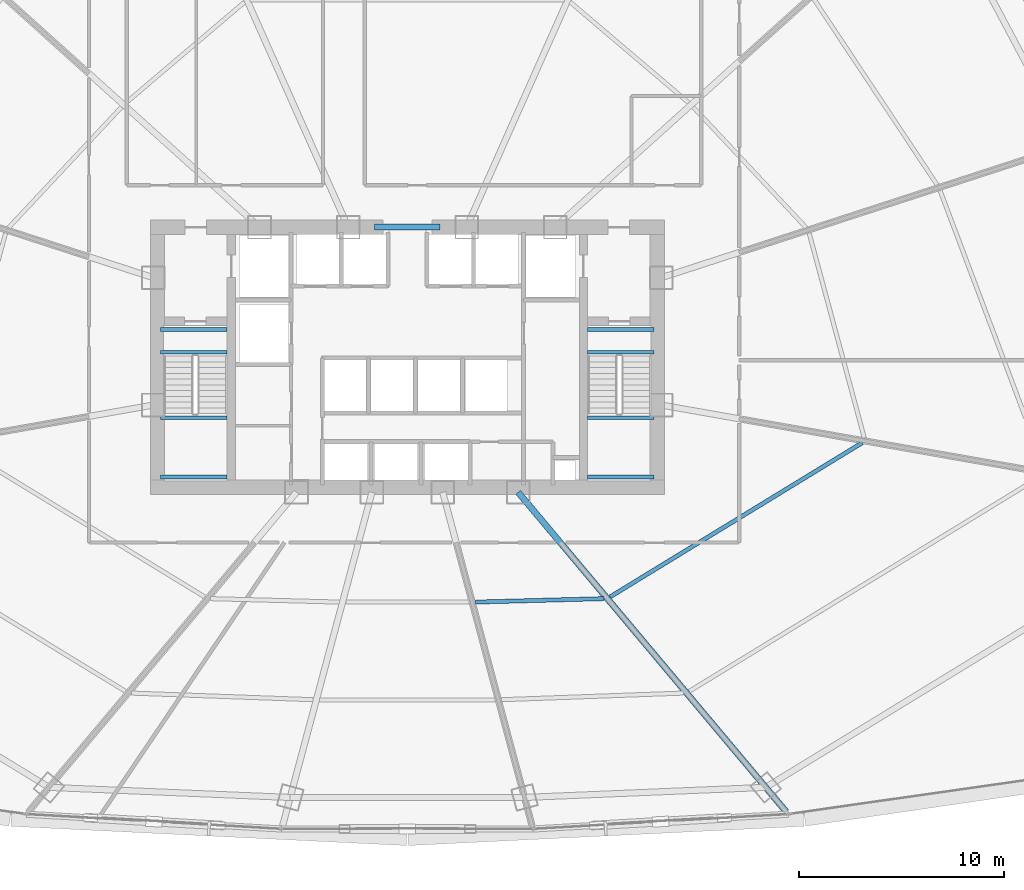
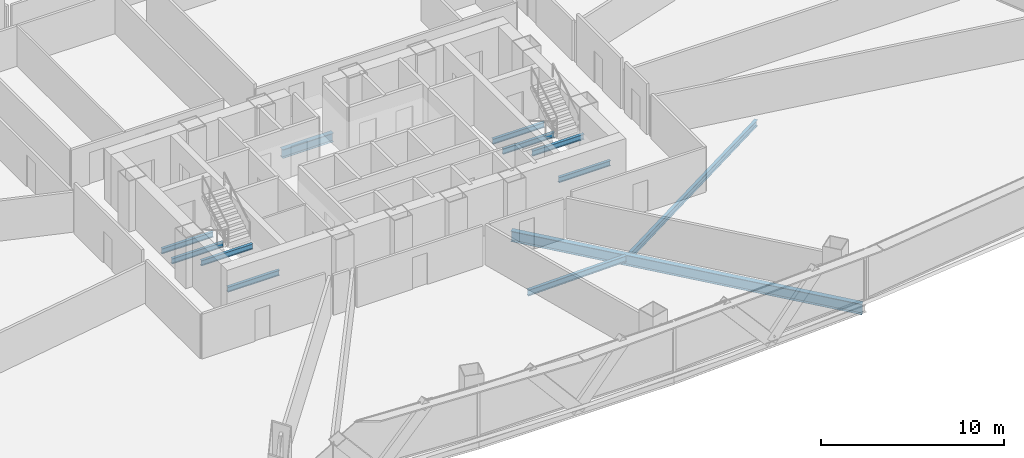
# One storey, part 13 of 42: 12 beams.
"""IFC4 building model written with IfcOpenShell, lengths in metres."""

from ifc_helpers import new_model, si_unit, direction, frame, origin, origin_2d, place, context, subcontext, project, spatial, i_section, extrude, source, transform, mapped, material, material_profile, profile_set, type_object, element, save


model = new_model("IFC4")

# Units and contexts
model_context = context("Model", 3, precision=1e-05, world=origin(), true_north=direction((0.0, 1.0)))
body_context = subcontext(model_context, "Body", "Model", "MODEL_VIEW")
ifc_project = project(units=[si_unit("LENGTHUNIT", "METRE"), si_unit("AREAUNIT", "SQUARE_METRE"), si_unit("VOLUMEUNIT", "CUBIC_METRE"), si_unit("PLANEANGLEUNIT", "RADIAN"), si_unit("MASSUNIT", "GRAM", prefix="KILO"), si_unit("THERMODYNAMICTEMPERATUREUNIT", "KELVIN"), si_unit("POWERUNIT", "WATT")], contexts=[model_context])

# Site, building, storey
site_placement = place(None, origin())
site = spatial("IfcSite", under=ifc_project, at=site_placement, CompositionType="ELEMENT")
building_placement = place(site_placement, origin())
building = spatial("IfcBuilding", under=site, at=building_placement, Name="Yunzhuo Pagoda Commons", CompositionType="ELEMENT")
storey_placement = place(building_placement, frame((0.0, 0.0, 41.2900390625)))
storey = spatial("IfcBuildingStorey", under=building, at=storey_placement, Name="L10", CompositionType="ELEMENT", Elevation=41.2900390625)

# Beams
ifc_material_1 = material(Name="Structural steel Q355B", Category="steel")
ifc_material_profile_1 = material_profile(ifc_material_1, i_section(OverallWidth=0.175048828125, OverallDepth=0.35009765625, WebThickness=0.007080078125, FlangeThickness=0.010986328125, at=origin_2d()), Name="Structural steel Q355B")
ifc_profile_set_1 = profile_set([ifc_material_profile_1], Name="Structural steel Q355B")
beam_type_1 = type_object("IfcBeamType", Name="B-JS2 Joist HN 350x175x7x11", PredefinedType="JOIST", material=ifc_profile_set_1)
shared_shape_1 = source(origin(), body_context, "Body", "SweptSolid", [
    extrude(i_section(OverallWidth=0.175048828125, OverallDepth=0.35009765625, WebThickness=0.007080078125, FlangeThickness=0.010986328125, at=origin_2d()), origin(), (0.0, 0.0, 1.0), 3.25),
])
for number, where, z_axis, x_axis, name in (
    (1, (35.949951171875, 28.0, 1.440185546875), (1.0, 0.0, 0.0), (0.0, 1.0, 0.0), "L10 ST1 landing support beam 14A"),
    (2, (35.949951171875, 30.89990234375, 1.440185546875), (1.0, 0.0, 0.0), (0.0, 1.0, 0.0), "L10 ST1 landing support beam 14B"),
    (3, (35.949951171875, 34.10009765625, -0.375), (1.0, 0.0, 0.0), (0.0, 1.0, 0.0), "L10 ST1 landing support beam 114A"),
    (4, (35.949951171875, 35.199951171875, -0.375), (1.0, 0.0, 0.0), (0.0, 1.0, 0.0), "L10 ST1 landing support beam 114B"),
    (5, (56.800048828125, 28.0, 1.440185546875), (1.0, 0.0, 0.0), (0.0, 1.0, 0.0), "L10 ST2 landing support beam 14A"),
    (6, (56.800048828125, 30.89990234375, 1.440185546875), (1.0, 0.0, 0.0), (0.0, 1.0, 0.0), "L10 ST2 landing support beam 14B"),
    (7, (56.800048828125, 34.10009765625, -0.375), (1.0, 0.0, 0.0), (0.0, 1.0, 0.0), "L10 ST2 landing support beam 114A"),
    (8, (56.800048828125, 35.199951171875, -0.375), (1.0, 0.0, 0.0), (0.0, 1.0, 0.0), "L10 ST2 landing support beam 114B"),
):
    element("IfcBeam", number, at=place(storey_placement, frame(where, z_axis=z_axis, x_axis=x_axis)), inside=storey, type_object=beam_type_1, Name=name, PredefinedType="JOIST", context=body_context, shape_type="MappedRepresentation", body=[
        mapped(shared_shape_1, transform((0.0, 0.0, 0.0), scale=1.0)),
    ])
ifc_material_2 = material(Name="Structural steel Q420B", Category="steel")
ifc_material_profile_2 = material_profile(ifc_material_2, i_section(OverallWidth=0.300048828125, OverallDepth=0.587890625, WebThickness=0.011962890625, FlangeThickness=0.02001953125, at=origin_2d()), Name="Structural steel Q420B")
ifc_profile_set_2 = profile_set([ifc_material_profile_2], Name="Structural steel Q420B")
beam_type_2 = type_object("IfcBeamType", Name="B-CPL Beam HM 588x300x12x20", PredefinedType="BEAM", material=ifc_profile_set_2)
shared_shape_2 = source(origin(), body_context, "Body", "SweptSolid", [
    extrude(i_section(OverallWidth=0.300048828125, OverallDepth=0.587890625, WebThickness=0.011962890625, FlangeThickness=0.02001953125, at=origin_2d()), origin(), (0.0, 0.0, 1.0), 3.2001953125),
])
beam_1_placement = place(storey_placement, frame((46.39990234375, 40.199951171875, -0.553955078125), z_axis=(1.0, 0.0, 0.0), x_axis=(0.0, 1.0, 0.0)))
element("IfcBeam", 9, at=beam_1_placement, inside=storey, type_object=beam_type_2, Name="L10 core coupling girder", PredefinedType="BEAM", context=body_context, shape_type="MappedRepresentation", body=[
    mapped(shared_shape_2, transform((0.0, 0.0, 0.0), scale=1.0)),
])
ifc_material_profile_3 = material_profile(ifc_material_1, i_section(OverallWidth=0.199951171875, OverallDepth=0.39990234375, WebThickness=0.008056640625, FlangeThickness=0.012939453125, at=origin_2d()), Name="Structural steel Q355B")
ifc_profile_set_3 = profile_set([ifc_material_profile_3], Name="Structural steel Q355B")
beam_type_3 = type_object("IfcBeamType", Name="B-JS1 Joist HN 400x200x8x13", PredefinedType="JOIST", material=ifc_profile_set_3)
shared_shape_3 = source(origin(), body_context, "Body", "SweptSolid", [
    extrude(i_section(OverallWidth=0.199951171875, OverallDepth=0.39990234375, WebThickness=0.008056640625, FlangeThickness=0.012939453125, at=origin_2d()), origin(), (0.0, 0.0, 1.0), 6.283203125),
])
beam_2_placement = place(storey_placement, frame((51.32421875, 21.89111328125, -0.4599609375), z_axis=(0.999638450037, 0.026888086735, 0.0), x_axis=(-0.026888086735, 0.999638450037, 0.0)))
element("IfcBeam", 10, at=beam_2_placement, inside=storey, type_object=beam_type_3, Name="L10 composite ring joist 1.3", PredefinedType="JOIST", context=body_context, shape_type="MappedRepresentation", body=[
    mapped(shared_shape_3, transform((0.0, 0.0, 0.0), scale=1.0)),
])
shared_shape_4 = source(origin(), body_context, "Body", "SweptSolid", [
    extrude(i_section(OverallWidth=0.199951171875, OverallDepth=0.39990234375, WebThickness=0.008056640625, FlangeThickness=0.012939453125, at=origin_2d()), origin(), (0.0, 0.0, 1.0), 14.4365234375),
])
beam_3_placement = place(storey_placement, frame((57.8994140625, 22.14697265625, -0.4599609375), z_axis=(0.85325633277, 0.521491735876, 0.0), x_axis=(-0.521491735876, 0.85325633277, 0.0)))
element("IfcBeam", 11, at=beam_3_placement, inside=storey, type_object=beam_type_3, Name="L10 composite ring joist 1.4", PredefinedType="JOIST", context=body_context, shape_type="MappedRepresentation", body=[
    mapped(shared_shape_4, transform((0.0, 0.0, 0.0), scale=1.0)),
])
ifc_material_profile_4 = material_profile(ifc_material_1, i_section(OverallWidth=0.300048828125, OverallDepth=0.699951171875, WebThickness=0.012939453125, FlangeThickness=0.02392578125, at=origin_2d()), Name="Structural steel Q355B")
ifc_profile_set_4 = profile_set([ifc_material_profile_4], Name="Structural steel Q355B")
beam_type_4 = type_object("IfcBeamType", Name="B-RG1 Beam HN 700x300x13x24", PredefinedType="BEAM", material=ifc_profile_set_4)
shared_shape_5 = source(origin(), body_context, "Body", "SweptSolid", [
    extrude(i_section(OverallWidth=0.300048828125, OverallDepth=0.699951171875, WebThickness=0.012939453125, FlangeThickness=0.02392578125, at=origin_2d()), origin(), (0.0, 0.0, 1.0), 20.3623046875),
])
beam_4_placement = place(storey_placement, frame((66.500732421875, 11.651611328125, -0.610107421875), z_axis=(-0.642788211009, 0.766043938549, 0.0), x_axis=(-0.766043938549, -0.642788211009, 0.0)))
element("IfcBeam", 12, at=beam_4_placement, inside=storey, type_object=beam_type_4, Name="L10 radial floor girder F1C4", PredefinedType="BEAM", context=body_context, shape_type="MappedRepresentation", body=[
    mapped(shared_shape_5, transform((0.0, 0.0, 0.0), scale=1.0)),
])

save(model, "model.ifc")
